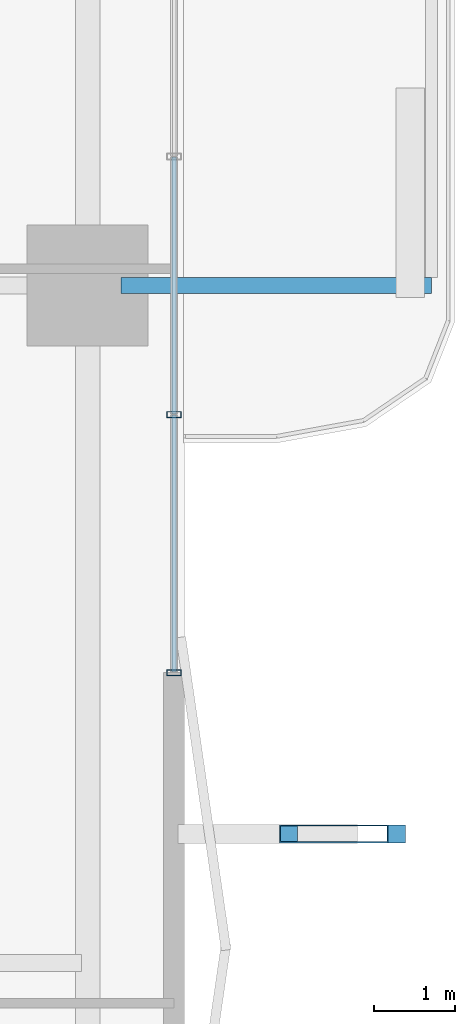
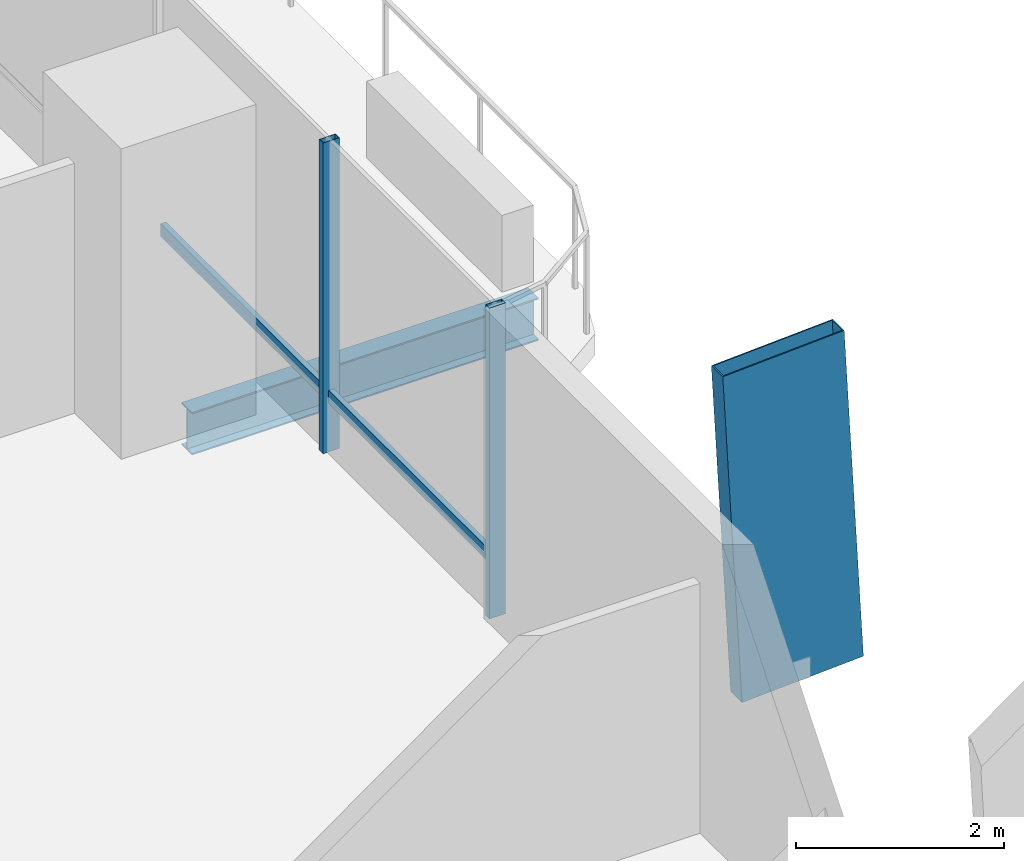
# One storey, part 8 of 23: 5 members, 1 beam, 1 element without a shape of its own.
"""IFC4 building model written with IfcOpenShell, lengths in metres."""

from ifc_helpers import new_model, si_unit, direction, frame, origin, origin_2d, place, context, subcontext, project, spatial, hollow_rectangle, i_section, extrude, material, layer, layer_set, material_profile, profile_set, type_object, element, aggregate, save


model = new_model("IFC4")

# Units and contexts
model_context = context("Model", 3, precision=1e-05, world=origin(), true_north=direction((0.0, 1.0)))
body_context = subcontext(model_context, "Body", "Model", "MODEL_VIEW")
ifc_project = project(units=[si_unit("LENGTHUNIT", "METRE"), si_unit("AREAUNIT", "SQUARE_METRE"), si_unit("VOLUMEUNIT", "CUBIC_METRE"), si_unit("PLANEANGLEUNIT", "RADIAN"), si_unit("MASSUNIT", "GRAM", prefix="KILO")], contexts=[model_context])

# Site, building, storey
site_placement = place(None, origin())
site = spatial("IfcSite", under=ifc_project, at=site_placement, CompositionType="ELEMENT")
building_placement = place(site_placement, origin())
building = spatial("IfcBuilding", under=site, at=building_placement, Name="Belovzor Exchange Tower", CompositionType="ELEMENT")
storey_placement = place(building_placement, frame((0.0, 0.0, 57.300048828125)))
storey = spatial("IfcBuildingStorey", under=building, at=storey_placement, Name="L13", CompositionType="ELEMENT", Elevation=57.300048828125)

# Member
ifc_material_1 = material(Name="Extruded Architectural Terracotta on Steel S355 Carrier", Category="masonry")
ifc_material_profile_1 = material_profile(ifc_material_1, hollow_rectangle(XDim=0.219970703125, YDim=1.35009765625, WallThickness=0.013916015625, at=origin_2d()))
ifc_profile_set_1 = profile_set([ifc_material_profile_1], Name="Extruded Architectural Terracotta on Steel S355 Carrier")
member_type_1 = type_object("IfcMemberType", Name="Base Arc Sweeping Terracotta Pylon Fin 1450", PredefinedType="USERDEFINED", material=ifc_profile_set_1)
member_1_placement = place(storey_placement, frame((58.762939453125, 22.0, -0.25), z_axis=(-0.054756839471, 0.0, 0.998499718844), x_axis=(0.0, -1.0, 0.0)))
element("IfcMember", 1, at=member_1_placement, inside=storey, type_object=member_type_1, Name="FIN-TC145 Terracotta Facade Fin L13 E2", ObjectType="FIN", PredefinedType="USERDEFINED", context=body_context, shape_type="SweptSolid", body=[
    extrude(hollow_rectangle(XDim=0.219970703125, YDim=1.35009765625, WallThickness=0.013916015625, at=origin_2d()), origin(), (0.0, 0.0, 1.0), 3.90576171875),
])

# Beam
ifc_material_2 = material(Name="Steel S355", Category="steel")
ifc_material_profile_2 = material_profile(ifc_material_2, i_section(OverallWidth=0.199951171875, OverallDepth=0.5, WebThickness=0.01025390625, FlangeThickness=0.01611328125, at=origin_2d()))
ifc_profile_set_2 = profile_set([ifc_material_profile_2], Name="Steel S355")
beam_type = type_object("IfcBeamType", Name="Planted Balcony Cantilever Beam IPE 500", PredefinedType="BEAM", material=ifc_profile_set_2)
beam_placement = place(storey_placement, frame((55.9130859375, 28.800048828125, -0.5), z_axis=(1.0, 0.0, 0.0), x_axis=(0.0, 1.0, 0.0)))
element("IfcBeam", 2, at=beam_placement, inside=storey, type_object=beam_type, Name="BC-500 Planted Balcony Cantilever Beam IPE 500", PredefinedType="BEAM", context=body_context, shape_type="SweptSolid", body=[
    extrude(i_section(OverallWidth=0.199951171875, OverallDepth=0.5, WebThickness=0.01025390625, FlangeThickness=0.01611328125, at=origin_2d()), origin(), (0.0, 0.0, 1.0), 3.849853515625),
])

# Curtain wall, members
ifc_material_3 = material(Name="Anodised Aluminium Framing", Category="aluminium")
ifc_layer = layer(ifc_material_3, 0.179931640625)
ifc_layer_set = layer_set([ifc_layer], Name="Anodised Aluminium Framing")
curtain_wall_type = type_object("IfcCurtainWallType", Name="Recessed Loggia Low-Iron Triple-Glazed Curtain Wall", PredefinedType="NOTDEFINED", material=ifc_layer_set)
curtain_wall_placement = place(storey_placement, origin())
curtain_wall = element("IfcCurtainWall", 3, at=curtain_wall_placement, inside=storey, type_object=curtain_wall_type, Name="CW3 Recessed Loggia Low-Iron Triple-Glazed Curtain Wall L13", PredefinedType="NOTDEFINED")
ifc_material_4 = material(Name="Steel S355", Category="steel")
ifc_material_profile_3 = material_profile(ifc_material_4, hollow_rectangle(XDim=0.074951171875, YDim=0.179931640625, WallThickness=0.0048828125, at=origin_2d()))
ifc_profile_set_3 = profile_set([ifc_material_profile_3], Name="Steel S355")
member_type_2 = type_object("IfcMemberType", Name="Thermally Broken Curtain Wall Mullion 180x75", PredefinedType="MULLION", material=ifc_profile_set_3)
member_2_placement = place(storey_placement, frame((56.570068359375, 27.199951171875, 0.0), z_axis=(0.0, 0.0, 1.0), x_axis=(0.0, -1.0, 0.0)))
member_2 = element("IfcMember", 4, at=member_2_placement, type_object=member_type_2, Name="CW-M180 Curtain Wall Mullion 3", PredefinedType="MULLION", context=body_context, shape_type="SweptSolid", body=[
    extrude(hollow_rectangle(XDim=0.074951171875, YDim=0.179931640625, WallThickness=0.0048828125, at=origin_2d()), origin(), (0.0, 0.0, 1.0), 3.64990234375),
])
member_3_placement = place(storey_placement, frame((56.570068359375, 24.0, 0.0), z_axis=(0.0, 0.0, 1.0), x_axis=(0.0, -1.0, 0.0)))
member_3 = element("IfcMember", 5, at=member_3_placement, type_object=member_type_2, Name="CW-M180 Curtain Wall Mullion 4", PredefinedType="MULLION", context=body_context, shape_type="SweptSolid", body=[
    extrude(hollow_rectangle(XDim=0.074951171875, YDim=0.179931640625, WallThickness=0.0048828125, at=origin_2d()), origin(), (0.0, 0.0, 1.0), 3.64990234375),
])
ifc_material_5 = material(Name="Steel S355", Category="steel")
ifc_material_profile_4 = material_profile(ifc_material_5, hollow_rectangle(XDim=0.06005859375, YDim=0.14990234375, WallThickness=0.00390625, at=origin_2d()))
ifc_profile_set_4 = profile_set([ifc_material_profile_4], Name="Steel S355")
member_type_3 = type_object("IfcMemberType", Name="Thermally Broken Curtain Wall Transom 150x60", PredefinedType="USERDEFINED", material=ifc_profile_set_4)
member_4_placement = place(storey_placement, frame((56.570068359375, 30.39208984375, 0.64990234375), z_axis=(0.0, -1.0, 0.0), x_axis=(1.0, 0.0, 0.0)))
member_4 = element("IfcMember", 6, at=member_4_placement, type_object=member_type_3, Name="CW-T150 Curtain Wall Transom 2", ObjectType="TRANSOM", PredefinedType="USERDEFINED", context=body_context, shape_type="SweptSolid", body=[
    extrude(hollow_rectangle(XDim=0.06005859375, YDim=0.14990234375, WallThickness=0.00390625, at=origin_2d()), origin(), (0.0, 0.0, 1.0), 3.18408203125),
])
member_5_placement = place(storey_placement, frame((56.570068359375, 27.19189453125, 0.64990234375), z_axis=(0.0, -1.0, 0.0), x_axis=(1.0, 0.0, 0.0)))
member_5 = element("IfcMember", 7, at=member_5_placement, type_object=member_type_3, Name="CW-T150 Curtain Wall Transom 3", ObjectType="TRANSOM", PredefinedType="USERDEFINED", context=body_context, shape_type="SweptSolid", body=[
    extrude(hollow_rectangle(XDim=0.06005859375, YDim=0.14990234375, WallThickness=0.00390625, at=origin_2d()), origin(), (0.0, 0.0, 1.0), 3.183837890625),
])
aggregate(curtain_wall, [member_2, member_3, member_4, member_5])

save(model, "model.ifc")
